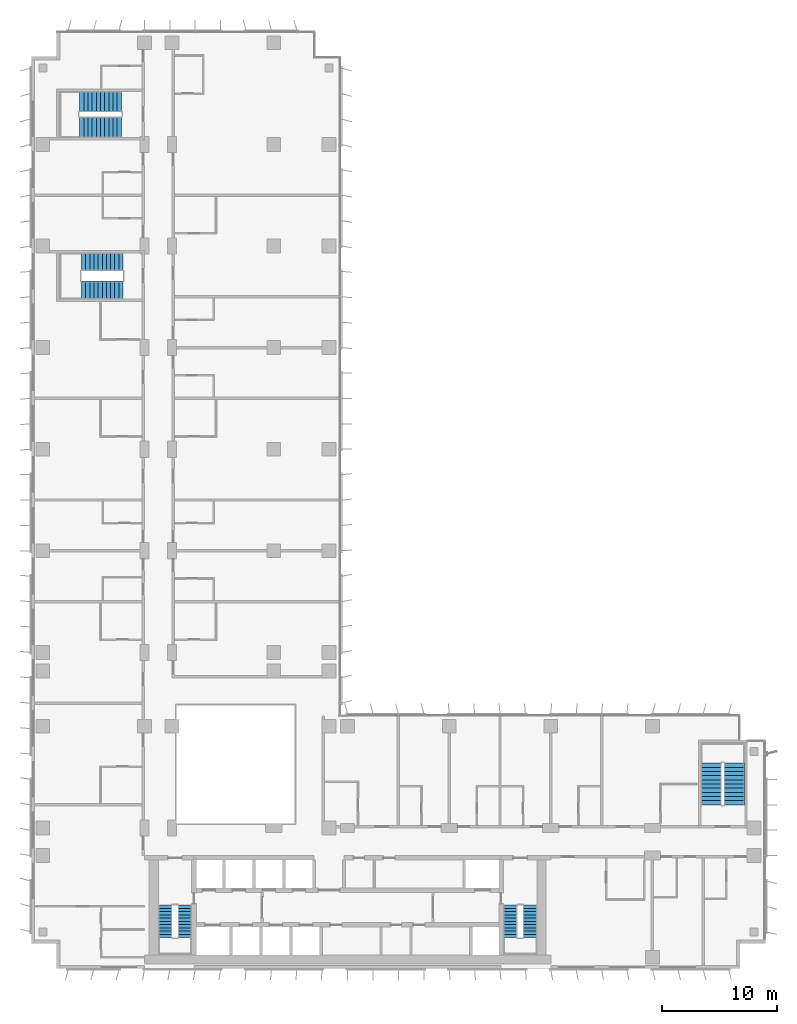
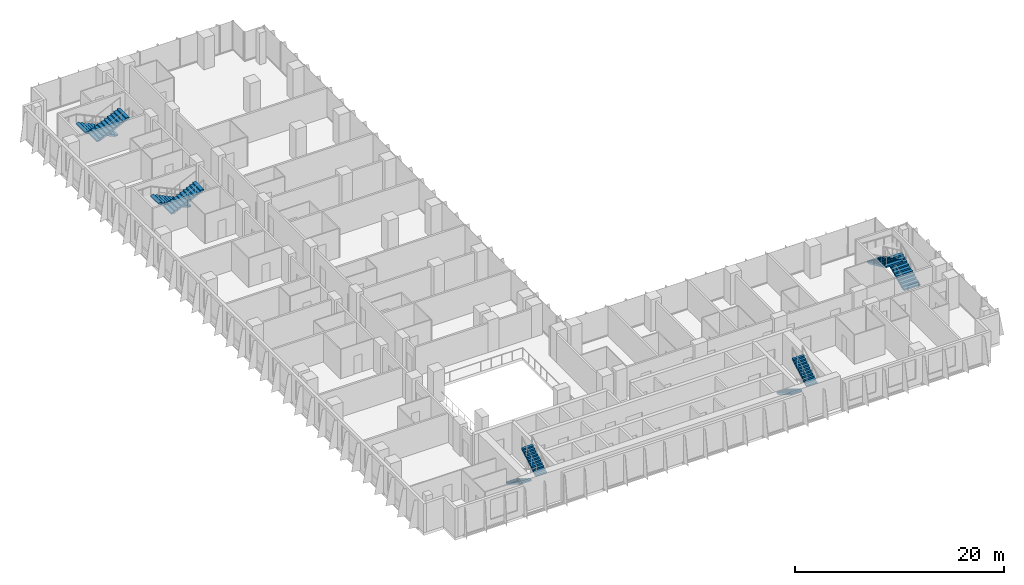
# One storey, part 19 of 23: 10 stair flights, 5 elements without a shape of their own.
"""IFC4 building model written with IfcOpenShell, lengths in metres."""

from ifc_helpers import new_model, si_unit, direction, frame, origin, place, context, subcontext, project, spatial, polyline, outline, extrude, material, type_object, element, aggregate, save


model = new_model("IFC4")

# Units and contexts
model_context = context("Model", 3, precision=1e-05, world=origin(), true_north=direction((0.0, 1.0)))
body_context = subcontext(model_context, "Body", "Model", "MODEL_VIEW")
ifc_project = project(units=[si_unit("LENGTHUNIT", "METRE"), si_unit("AREAUNIT", "SQUARE_METRE"), si_unit("VOLUMEUNIT", "CUBIC_METRE"), si_unit("PLANEANGLEUNIT", "RADIAN"), si_unit("MASSUNIT", "GRAM", prefix="KILO")], contexts=[model_context])

# Site, building, storey
site_placement = place(None, origin())
site = spatial("IfcSite", under=ifc_project, at=site_placement, CompositionType="ELEMENT")
building_placement = place(site_placement, origin())
building = spatial("IfcBuilding", under=site, at=building_placement, Name="Kemantara Hotel Tower", CompositionType="ELEMENT")
storey_placement = place(building_placement, frame((0.0, 0.0, 138.300048828125)))
storey = spatial("IfcBuildingStorey", under=building, at=storey_placement, Name="L33", CompositionType="ELEMENT", Elevation=138.300048828125)

# Stair, stair flights
ifc_material = material(Name="Concrete fc 40 MPa", Category="concrete")
stair_type_1 = type_object("IfcStairType", Name="Stair 1200 wide 22 risers of 168 x 280 mm", PredefinedType="HALF_TURN_STAIR", material=ifc_material)
stair_1_placement = place(storey_placement, origin())
stair_1 = element("IfcStair", 1, at=stair_1_placement, inside=storey, type_object=stair_type_1, Name="L33 Exit stair ST1", PredefinedType="HALF_TURN_STAIR")
stair_flight_type_1 = type_object("IfcStairFlightType", Name="Stair flight 1200 wide 168 x 280 mm", PredefinedType="STRAIGHT", material=ifc_material)
stair_flight_1_placement = place(storey_placement, frame((11.60009765625, 5.5, 0.0), z_axis=(0.0, 0.0, 1.0), x_axis=(0.0, -1.0, 0.0)))
stair_flight_1 = element("IfcStairFlight", 2, at=stair_flight_1_placement, type_object=stair_flight_type_1, Name="ST1 flight 1", NumberOfRisers=11, NumberOfTreads=10, PredefinedType="STRAIGHT", RiserHeight=0.168181818, TreadLength=0.28, context=body_context, shape_type="SweptSolid", body=[
    extrude(outline(polyline([(0.0, 0.0), (0.0, 0.168212890625), (0.280029296875, 0.168212890625), (0.280029296875, 0.33642578125), (0.56005859375, 0.33642578125), (0.56005859375, 0.504638671875), (0.840087890625, 0.504638671875), (0.840087890625, 0.672607421875), (1.1201171875, 0.672607421875), (1.1201171875, 0.8408203125), (1.39990234375, 0.8408203125), (1.39990234375, 1.009033203125), (1.679931640625, 1.009033203125), (1.679931640625, 1.17724609375), (1.9599609375, 1.17724609375), (1.9599609375, 1.345458984375), (2.239990234375, 1.345458984375), (2.239990234375, 1.513671875), (2.52001953125, 1.513671875), (2.52001953125, 1.681884765625), (2.800048828125, 1.681884765625), (2.800048828125, 1.85009765625), (2.800048828125, 1.5068359375), (0.291015625, 0.0), (0.0, 0.0)])), frame((0.0, 0.60009765625, 0.0), z_axis=(0.0, -1.0, 0.0), x_axis=(1.0, 0.0, 0.0)), (0.0, 0.0, 1.0), 1.199951171875),
])
stair_flight_2_placement = place(storey_placement, frame((13.300048828125, 2.699951171875, 1.849853515625), z_axis=(0.0, 0.0, 1.0), x_axis=(0.0, 1.0, 0.0)))
stair_flight_2 = element("IfcStairFlight", 3, at=stair_flight_2_placement, type_object=stair_flight_type_1, Name="ST1 flight 2", NumberOfRisers=11, NumberOfTreads=10, PredefinedType="STRAIGHT", RiserHeight=0.168181818, TreadLength=0.28, context=body_context, shape_type="SweptSolid", body=[
    extrude(outline(polyline([(0.0, 0.0), (0.0, 0.168212890625), (0.280029296875, 0.168212890625), (0.280029296875, 0.33642578125), (0.56005859375, 0.33642578125), (0.56005859375, 0.504638671875), (0.840087890625, 0.504638671875), (0.840087890625, 0.672607421875), (1.1201171875, 0.672607421875), (1.1201171875, 0.8408203125), (1.39990234375, 0.8408203125), (1.39990234375, 1.009033203125), (1.679931640625, 1.009033203125), (1.679931640625, 1.17724609375), (1.9599609375, 1.17724609375), (1.9599609375, 1.345458984375), (2.239990234375, 1.345458984375), (2.239990234375, 1.513671875), (2.52001953125, 1.513671875), (2.52001953125, 1.681884765625), (2.800048828125, 1.681884765625), (2.800048828125, 1.85009765625), (2.800048828125, 1.5068359375), (0.291015625, 0.0), (0.0, 0.0)])), frame((0.0, 0.60009765625, 0.0), z_axis=(0.0, -1.0, 0.0), x_axis=(1.0, 0.0, 0.0)), (0.0, 0.0, 1.0), 1.199951171875),
])
aggregate(stair_1, [stair_flight_1, stair_flight_2])

stair_2_placement = place(storey_placement, origin())
stair_2 = element("IfcStair", 4, at=stair_2_placement, inside=storey, type_object=stair_type_1, Name="L33 Exit stair ST2", PredefinedType="HALF_TURN_STAIR")
stair_flight_3_placement = place(storey_placement, frame((41.5, 5.5, 0.0), z_axis=(0.0, 0.0, 1.0), x_axis=(0.0, -1.0, 0.0)))
stair_flight_3 = element("IfcStairFlight", 5, at=stair_flight_3_placement, type_object=stair_flight_type_1, Name="ST2 flight 1", NumberOfRisers=11, NumberOfTreads=10, PredefinedType="STRAIGHT", RiserHeight=0.168181818, TreadLength=0.28, context=body_context, shape_type="SweptSolid", body=[
    extrude(outline(polyline([(0.0, 0.0), (0.0, 0.168212890625), (0.280029296875, 0.168212890625), (0.280029296875, 0.33642578125), (0.56005859375, 0.33642578125), (0.56005859375, 0.504638671875), (0.840087890625, 0.504638671875), (0.840087890625, 0.672607421875), (1.1201171875, 0.672607421875), (1.1201171875, 0.8408203125), (1.39990234375, 0.8408203125), (1.39990234375, 1.009033203125), (1.679931640625, 1.009033203125), (1.679931640625, 1.17724609375), (1.9599609375, 1.17724609375), (1.9599609375, 1.345458984375), (2.239990234375, 1.345458984375), (2.239990234375, 1.513671875), (2.52001953125, 1.513671875), (2.52001953125, 1.681884765625), (2.800048828125, 1.681884765625), (2.800048828125, 1.85009765625), (2.800048828125, 1.5068359375), (0.291015625, 0.0), (0.0, 0.0)])), frame((0.0, 0.60009765625, 0.0), z_axis=(0.0, -1.0, 0.0), x_axis=(1.0, 0.0, 0.0)), (0.0, 0.0, 1.0), 1.199951171875),
])
stair_flight_4_placement = place(storey_placement, frame((43.199951171875, 2.699951171875, 1.849853515625), z_axis=(0.0, 0.0, 1.0), x_axis=(0.0, 1.0, 0.0)))
stair_flight_4 = element("IfcStairFlight", 6, at=stair_flight_4_placement, type_object=stair_flight_type_1, Name="ST2 flight 2", NumberOfRisers=11, NumberOfTreads=10, PredefinedType="STRAIGHT", RiserHeight=0.168181818, TreadLength=0.28, context=body_context, shape_type="SweptSolid", body=[
    extrude(outline(polyline([(0.0, 0.0), (0.0, 0.168212890625), (0.280029296875, 0.168212890625), (0.280029296875, 0.33642578125), (0.56005859375, 0.33642578125), (0.56005859375, 0.504638671875), (0.840087890625, 0.504638671875), (0.840087890625, 0.672607421875), (1.1201171875, 0.672607421875), (1.1201171875, 0.8408203125), (1.39990234375, 0.8408203125), (1.39990234375, 1.009033203125), (1.679931640625, 1.009033203125), (1.679931640625, 1.17724609375), (1.9599609375, 1.17724609375), (1.9599609375, 1.345458984375), (2.239990234375, 1.345458984375), (2.239990234375, 1.513671875), (2.52001953125, 1.513671875), (2.52001953125, 1.681884765625), (2.800048828125, 1.681884765625), (2.800048828125, 1.85009765625), (2.800048828125, 1.5068359375), (0.291015625, 0.0), (0.0, 0.0)])), frame((0.0, 0.60009765625, 0.0), z_axis=(0.0, -1.0, 0.0), x_axis=(1.0, 0.0, 0.0)), (0.0, 0.0, 1.0), 1.199951171875),
])
aggregate(stair_2, [stair_flight_3, stair_flight_4])

stair_type_2 = type_object("IfcStairType", Name="Stair 1550 wide 22 risers of 168 x 360 mm", PredefinedType="HALF_TURN_STAIR", material=ifc_material)
stair_3_placement = place(storey_placement, origin())
stair_3 = element("IfcStair", 7, at=stair_3_placement, inside=storey, type_object=stair_type_2, Name="L33 Exit stair ST4", PredefinedType="HALF_TURN_STAIR")
stair_flight_type_2 = type_object("IfcStairFlightType", Name="Stair flight 1550 wide 168 x 360 mm", PredefinedType="STRAIGHT", material=ifc_material)
stair_flight_5_placement = place(storey_placement, frame((7.949951171875, 61.22509765625, 0.0), z_axis=(0.0, 0.0, 1.0), x_axis=(-1.0, 0.0, 0.0)))
stair_flight_5 = element("IfcStairFlight", 8, at=stair_flight_5_placement, type_object=stair_flight_type_2, Name="ST4 flight 1", NumberOfRisers=11, NumberOfTreads=10, PredefinedType="STRAIGHT", RiserHeight=0.168181818, TreadLength=0.36, context=body_context, shape_type="SweptSolid", body=[
    extrude(outline(polyline([(0.0, 0.0), (0.0, 0.168212890625), (0.360107421875, 0.168212890625), (0.360107421875, 0.33642578125), (0.719970703125, 0.33642578125), (0.719970703125, 0.504638671875), (1.080078125, 0.504638671875), (1.080078125, 0.672607421875), (1.43994140625, 0.672607421875), (1.43994140625, 0.8408203125), (1.800048828125, 0.8408203125), (1.800048828125, 1.009033203125), (2.159912109375, 1.009033203125), (2.159912109375, 1.17724609375), (2.52001953125, 1.17724609375), (2.52001953125, 1.345458984375), (2.8798828125, 1.345458984375), (2.8798828125, 1.513671875), (3.239990234375, 1.513671875), (3.239990234375, 1.681884765625), (3.60009765625, 1.681884765625), (3.60009765625, 1.85009765625), (3.60009765625, 1.516357421875), (0.354248046875, 0.0), (0.0, 0.0)])), frame((0.0, 0.77490234375, 0.0), z_axis=(0.0, -1.0, 0.0), x_axis=(1.0, 0.0, 0.0)), (0.0, 0.0, 1.0), 1.550048828125),
])
stair_flight_6_placement = place(storey_placement, frame((4.35009765625, 58.77490234375, 1.849853515625), z_axis=(0.0, 0.0, 1.0), x_axis=(1.0, 0.0, 0.0)))
stair_flight_6 = element("IfcStairFlight", 9, at=stair_flight_6_placement, type_object=stair_flight_type_2, Name="ST4 flight 2", NumberOfRisers=11, NumberOfTreads=10, PredefinedType="STRAIGHT", RiserHeight=0.168181818, TreadLength=0.36, context=body_context, shape_type="SweptSolid", body=[
    extrude(outline(polyline([(0.0, 0.0), (0.0, 0.168212890625), (0.360107421875, 0.168212890625), (0.360107421875, 0.33642578125), (0.719970703125, 0.33642578125), (0.719970703125, 0.504638671875), (1.080078125, 0.504638671875), (1.080078125, 0.672607421875), (1.43994140625, 0.672607421875), (1.43994140625, 0.8408203125), (1.800048828125, 0.8408203125), (1.800048828125, 1.009033203125), (2.159912109375, 1.009033203125), (2.159912109375, 1.17724609375), (2.52001953125, 1.17724609375), (2.52001953125, 1.345458984375), (2.8798828125, 1.345458984375), (2.8798828125, 1.513671875), (3.239990234375, 1.513671875), (3.239990234375, 1.681884765625), (3.60009765625, 1.681884765625), (3.60009765625, 1.85009765625), (3.60009765625, 1.516357421875), (0.354248046875, 0.0), (0.0, 0.0)])), frame((0.0, 0.77490234375, 0.0), z_axis=(0.0, -1.0, 0.0), x_axis=(1.0, 0.0, 0.0)), (0.0, 0.0, 1.0), 1.550048828125),
])
aggregate(stair_3, [stair_flight_5, stair_flight_6])

stair_type_3 = type_object("IfcStairType", Name="Stair 1800 wide 22 risers of 168 x 360 mm", PredefinedType="HALF_TURN_STAIR", material=ifc_material)
stair_4_placement = place(storey_placement, origin())
stair_4 = element("IfcStair", 10, at=stair_4_placement, inside=storey, type_object=stair_type_3, Name="L33 Exit stair ST3", PredefinedType="HALF_TURN_STAIR")
stair_flight_type_3 = type_object("IfcStairFlightType", Name="Stair flight 1800 wide 168 x 360 mm", PredefinedType="STRAIGHT", material=ifc_material)
stair_flight_7_placement = place(storey_placement, frame((60.89990234375, 14.199951171875, 0.0), z_axis=(0.0, 0.0, 1.0), x_axis=(0.0, 1.0, 0.0)))
stair_flight_7 = element("IfcStairFlight", 11, at=stair_flight_7_placement, type_object=stair_flight_type_3, Name="ST3 flight 1", NumberOfRisers=11, NumberOfTreads=10, PredefinedType="STRAIGHT", RiserHeight=0.168181818, TreadLength=0.36, context=body_context, shape_type="SweptSolid", body=[
    extrude(outline(polyline([(0.0, 0.0), (0.0, 0.168212890625), (0.360107421875, 0.168212890625), (0.360107421875, 0.33642578125), (0.719970703125, 0.33642578125), (0.719970703125, 0.504638671875), (1.080078125, 0.504638671875), (1.080078125, 0.672607421875), (1.43994140625, 0.672607421875), (1.43994140625, 0.8408203125), (1.800048828125, 0.8408203125), (1.800048828125, 1.009033203125), (2.159912109375, 1.009033203125), (2.159912109375, 1.17724609375), (2.52001953125, 1.17724609375), (2.52001953125, 1.345458984375), (2.8798828125, 1.345458984375), (2.8798828125, 1.513671875), (3.239990234375, 1.513671875), (3.239990234375, 1.681884765625), (3.60009765625, 1.681884765625), (3.60009765625, 1.85009765625), (3.60009765625, 1.516357421875), (0.354248046875, 0.0), (0.0, 0.0)])), frame((0.0, 0.89990234375, 0.0), z_axis=(0.0, -1.0, 0.0), x_axis=(1.0, 0.0, 0.0)), (0.0, 0.0, 1.0), 1.800048828125),
])
stair_flight_8_placement = place(storey_placement, frame((58.89990234375, 17.800048828125, 1.849853515625), z_axis=(0.0, 0.0, 1.0), x_axis=(0.0, -1.0, 0.0)))
stair_flight_8 = element("IfcStairFlight", 12, at=stair_flight_8_placement, type_object=stair_flight_type_3, Name="ST3 flight 2", NumberOfRisers=11, NumberOfTreads=10, PredefinedType="STRAIGHT", RiserHeight=0.168181818, TreadLength=0.36, context=body_context, shape_type="SweptSolid", body=[
    extrude(outline(polyline([(0.0, 0.0), (0.0, 0.168212890625), (0.360107421875, 0.168212890625), (0.360107421875, 0.33642578125), (0.719970703125, 0.33642578125), (0.719970703125, 0.504638671875), (1.080078125, 0.504638671875), (1.080078125, 0.672607421875), (1.43994140625, 0.672607421875), (1.43994140625, 0.8408203125), (1.800048828125, 0.8408203125), (1.800048828125, 1.009033203125), (2.159912109375, 1.009033203125), (2.159912109375, 1.17724609375), (2.52001953125, 1.17724609375), (2.52001953125, 1.345458984375), (2.8798828125, 1.345458984375), (2.8798828125, 1.513671875), (3.239990234375, 1.513671875), (3.239990234375, 1.681884765625), (3.60009765625, 1.681884765625), (3.60009765625, 1.85009765625), (3.60009765625, 1.516357421875), (0.354248046875, 0.0), (0.0, 0.0)])), frame((0.0, 0.89990234375, 0.0), z_axis=(0.0, -1.0, 0.0), x_axis=(1.0, 0.0, 0.0)), (0.0, 0.0, 1.0), 1.800048828125),
])
aggregate(stair_4, [stair_flight_7, stair_flight_8])

stair_5_placement = place(storey_placement, origin())
stair_5 = element("IfcStair", 13, at=stair_5_placement, inside=storey, type_object=stair_type_3, Name="L33 Exit stair ST6", PredefinedType="HALF_TURN_STAIR")
stair_flight_9_placement = place(storey_placement, frame((7.800048828125, 75.10009765625, 0.0), z_axis=(0.0, 0.0, 1.0), x_axis=(-1.0, 0.0, 0.0)))
stair_flight_9 = element("IfcStairFlight", 14, at=stair_flight_9_placement, type_object=stair_flight_type_3, Name="ST6 flight 1", NumberOfRisers=11, NumberOfTreads=10, PredefinedType="STRAIGHT", RiserHeight=0.168181818, TreadLength=0.36, context=body_context, shape_type="SweptSolid", body=[
    extrude(outline(polyline([(0.0, 0.0), (0.0, 0.168212890625), (0.360107421875, 0.168212890625), (0.360107421875, 0.33642578125), (0.719970703125, 0.33642578125), (0.719970703125, 0.504638671875), (1.080078125, 0.504638671875), (1.080078125, 0.672607421875), (1.43994140625, 0.672607421875), (1.43994140625, 0.8408203125), (1.800048828125, 0.8408203125), (1.800048828125, 1.009033203125), (2.159912109375, 1.009033203125), (2.159912109375, 1.17724609375), (2.52001953125, 1.17724609375), (2.52001953125, 1.345458984375), (2.8798828125, 1.345458984375), (2.8798828125, 1.513671875), (3.239990234375, 1.513671875), (3.239990234375, 1.681884765625), (3.60009765625, 1.681884765625), (3.60009765625, 1.85009765625), (3.60009765625, 1.516357421875), (0.354248046875, 0.0), (0.0, 0.0)])), frame((0.0, 0.89990234375, 0.0), z_axis=(0.0, -1.0, 0.0), x_axis=(1.0, 0.0, 0.0)), (0.0, 0.0, 1.0), 1.800048828125),
])
stair_flight_10_placement = place(storey_placement, frame((4.199951171875, 72.89990234375, 1.849853515625), z_axis=(0.0, 0.0, 1.0), x_axis=(1.0, 0.0, 0.0)))
stair_flight_10 = element("IfcStairFlight", 15, at=stair_flight_10_placement, type_object=stair_flight_type_3, Name="ST6 flight 2", NumberOfRisers=11, NumberOfTreads=10, PredefinedType="STRAIGHT", RiserHeight=0.168181818, TreadLength=0.36, context=body_context, shape_type="SweptSolid", body=[
    extrude(outline(polyline([(0.0, 0.0), (0.0, 0.168212890625), (0.360107421875, 0.168212890625), (0.360107421875, 0.33642578125), (0.719970703125, 0.33642578125), (0.719970703125, 0.504638671875), (1.080078125, 0.504638671875), (1.080078125, 0.672607421875), (1.43994140625, 0.672607421875), (1.43994140625, 0.8408203125), (1.800048828125, 0.8408203125), (1.800048828125, 1.009033203125), (2.159912109375, 1.009033203125), (2.159912109375, 1.17724609375), (2.52001953125, 1.17724609375), (2.52001953125, 1.345458984375), (2.8798828125, 1.345458984375), (2.8798828125, 1.513671875), (3.239990234375, 1.513671875), (3.239990234375, 1.681884765625), (3.60009765625, 1.681884765625), (3.60009765625, 1.85009765625), (3.60009765625, 1.516357421875), (0.354248046875, 0.0), (0.0, 0.0)])), frame((0.0, 0.89990234375, 0.0), z_axis=(0.0, -1.0, 0.0), x_axis=(1.0, 0.0, 0.0)), (0.0, 0.0, 1.0), 1.800048828125),
])
aggregate(stair_5, [stair_flight_9, stair_flight_10])

save(model, "model.ifc")
